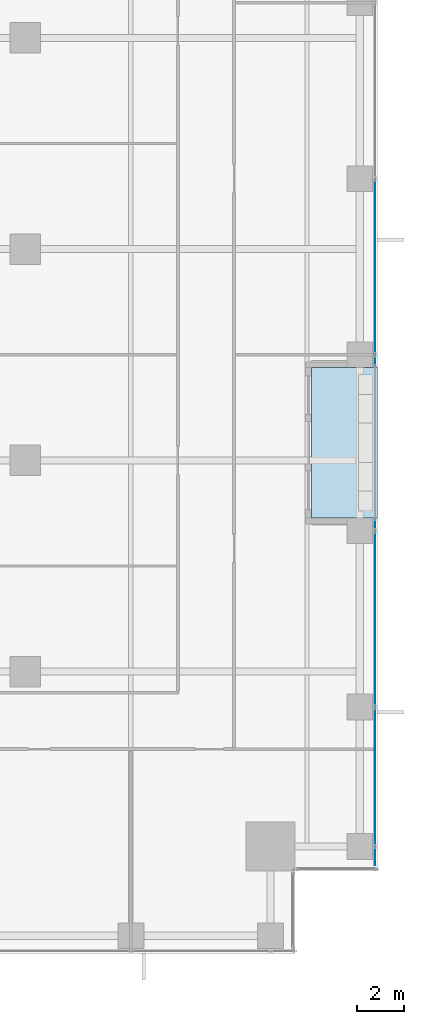
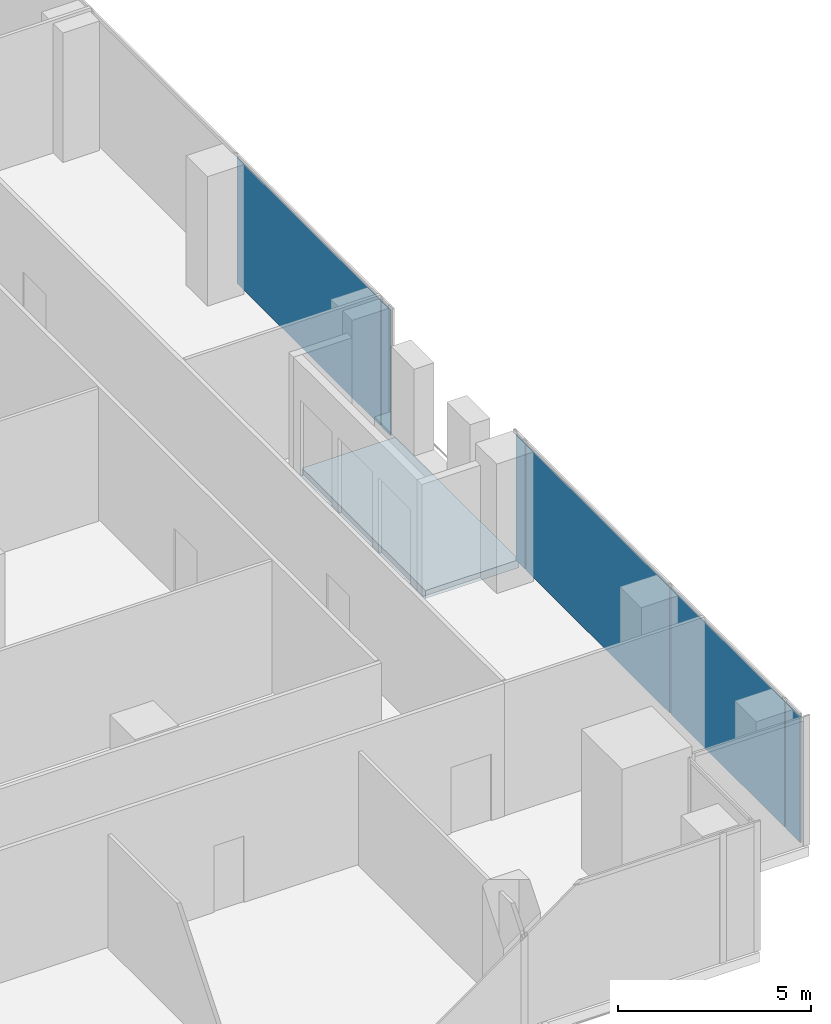
# One storey, part 25 of 34: 6 plates, 1 slab, 2 elements without a shape of their own.
"""IFC4 building model written with IfcOpenShell, lengths in metres."""

from ifc_helpers import new_model, si_unit, direction, frame, origin, origin_2d, place, context, subcontext, project, spatial, polyline, rectangle, outline, extrude, source, transform, mapped, material, layer, layer_set, type_object, element, aggregate, save


model = new_model("IFC4")

# Units and contexts
model_context = context("Model", 3, precision=1e-05, world=origin(), true_north=direction((0.0, 1.0)))
body_context = subcontext(model_context, "Body", "Model", "MODEL_VIEW")
ifc_project = project(units=[si_unit("LENGTHUNIT", "METRE"), si_unit("AREAUNIT", "SQUARE_METRE"), si_unit("VOLUMEUNIT", "CUBIC_METRE"), si_unit("PLANEANGLEUNIT", "RADIAN"), si_unit("MASSUNIT", "GRAM", prefix="KILO")], contexts=[model_context])

# Site, building, storey
site_placement = place(None, origin())
site = spatial("IfcSite", under=ifc_project, at=site_placement, CompositionType="ELEMENT")
building_placement = place(site_placement, origin())
building = spatial("IfcBuilding", under=site, at=building_placement, Name="Khomas Fold Tower", CompositionType="ELEMENT")
storey_placement = place(building_placement, frame((0.0, 0.0, 105.89990234375)))
storey = spatial("IfcBuildingStorey", under=building, at=storey_placement, Name="L22", CompositionType="ELEMENT", Elevation=105.89990234375)

# Curtain wall, plates
ifc_material_1 = material(Name="Aluminium framed double glazing", Category="aluminium")
curtain_wall_type = type_object("IfcCurtainWallType", Name="SK-Unitised clear-glass wall, growing floors CW1", PredefinedType="NOTDEFINED", material=ifc_material_1)
curtain_wall_1_placement = place(storey_placement, origin())
curtain_wall_1 = element("IfcCurtainWall", 1, at=curtain_wall_1_placement, inside=storey, type_object=curtain_wall_type, Name="CW1 run L22 03-0", PredefinedType="NOTDEFINED")
ifc_material_2 = material(Name="Clear double glazed unit")
ifc_layer_1 = layer(ifc_material_2, 0.031982421875)
ifc_layer_set_1 = layer_set([ifc_layer_1], Name="Clear double glazed unit")
plate_type = type_object("IfcPlateType", Name="SK-Unitised clear-glass wall, growing floors glass panel CW1-P", PredefinedType="CURTAIN_PANEL", material=ifc_layer_set_1)
shared_shape_1 = source(origin(), body_context, "Body", "SweptSolid", [
    extrude(rectangle(XDim=0.760009765625, YDim=0.031982421875, at=origin_2d()), origin(), (0.0, 0.0, 1.0), 3.97998046875),
])
plate_1_placement = place(storey_placement, frame((52.39990234375, 5.639892578125, 0.0), z_axis=(0.0, 0.0, 1.0), x_axis=(0.0, 1.0, 0.0)))
plate_1 = element("IfcPlate", 2, at=plate_1_placement, type_object=plate_type, Name="CW1 glass panel 1", PredefinedType="CURTAIN_PANEL", context=body_context, shape_type="MappedRepresentation", body=[
    mapped(shared_shape_1, transform((0.0, 0.0, 0.0))),
])
shared_shape_2 = source(origin(), body_context, "Body", "SweptSolid", [
    extrude(rectangle(XDim=5.889892578125, YDim=0.031982421875, at=origin_2d()), origin(), (0.0, 0.0, 1.0), 3.97998046875),
])
plate_2_placement = place(storey_placement, frame((52.39990234375, 9.02490234375, 0.0), z_axis=(0.0, 0.0, 1.0), x_axis=(0.0, 1.0, 0.0)))
plate_2 = element("IfcPlate", 3, at=plate_2_placement, type_object=plate_type, Name="CW1 glass panel 2", PredefinedType="CURTAIN_PANEL", context=body_context, shape_type="MappedRepresentation", body=[
    mapped(shared_shape_2, transform((0.0, 0.0, 0.0))),
])
shared_shape_3 = source(origin(), body_context, "Body", "SweptSolid", [
    extrude(rectangle(XDim=7.43994140625, YDim=0.031982421875, at=origin_2d()), origin(), (0.0, 0.0, 1.0), 3.97998046875),
])
plate_3_placement = place(storey_placement, frame((52.39990234375, 15.75, 0.0), z_axis=(0.0, 0.0, 1.0), x_axis=(0.0, 1.0, 0.0)))
plate_3 = element("IfcPlate", 4, at=plate_3_placement, type_object=plate_type, Name="CW1 glass panel 3", PredefinedType="CURTAIN_PANEL", context=body_context, shape_type="MappedRepresentation", body=[
    mapped(shared_shape_3, transform((0.0, 0.0, 0.0))),
])

# Curtain wall, plate
curtain_wall_2_placement = place(storey_placement, origin())
curtain_wall_2 = element("IfcCurtainWall", 5, at=curtain_wall_2_placement, inside=storey, type_object=curtain_wall_type, Name="CW1 run L22 03-1", PredefinedType="NOTDEFINED")
plate_4_placement = place(storey_placement, frame((52.39990234375, 30.75, 0.0), z_axis=(0.0, 0.0, 1.0), x_axis=(0.0, 1.0, 0.0)))
plate_4 = element("IfcPlate", 6, at=plate_4_placement, type_object=plate_type, Name="CW1 glass panel 2", PredefinedType="CURTAIN_PANEL", context=body_context, shape_type="MappedRepresentation", body=[
    mapped(shared_shape_3, transform((0.0, 0.0, 0.0))),
])

# Plate
shared_shape_4 = source(origin(), body_context, "Body", "SweptSolid", [
    extrude(rectangle(XDim=0.4599609375, YDim=0.031982421875, at=origin_2d()), origin(), (0.0, 0.0, 1.0), 3.97998046875),
])
plate_5_placement = place(storey_placement, frame((52.39990234375, 19.760009765625, 0.0), z_axis=(0.0, 0.0, 1.0), x_axis=(0.0, 1.0, 0.0)))
plate_5 = element("IfcPlate", 7, at=plate_5_placement, type_object=plate_type, Name="CW1 glass panel 4", PredefinedType="CURTAIN_PANEL", context=body_context, shape_type="MappedRepresentation", body=[
    mapped(shared_shape_4, transform((0.0, 0.0, 0.0))),
])

aggregate(curtain_wall_1, [plate_1, plate_2, plate_3, plate_5])

plate_6_placement = place(storey_placement, frame((52.39990234375, 26.739990234375, 0.0), z_axis=(0.0, 0.0, 1.0), x_axis=(0.0, 1.0, 0.0)))
plate_6 = element("IfcPlate", 8, at=plate_6_placement, type_object=plate_type, Name="CW1 glass panel 1", PredefinedType="CURTAIN_PANEL", context=body_context, shape_type="MappedRepresentation", body=[
    mapped(shared_shape_4, transform((0.0, 0.0, 0.0))),
])

aggregate(curtain_wall_2, [plate_6, plate_4])

# Slab
ifc_material_3 = material(Name="Concrete C40/50", Category="concrete")
ifc_layer_2 = layer(ifc_material_3, 0.2548828125)
ifc_layer_set_2 = layer_set([ifc_layer_2], Name="Concrete C40/50")
slab_type = type_object("IfcSlabType", Name="BL-Balcony deck 255", PredefinedType="FLOOR", material=ifc_layer_set_2)
shared_shape_5 = source(origin(), body_context, "Body", "SweptSolid", [
    extrude(outline(polyline([(49.699951171875, 20.050048828125), (52.5, 20.050048828125), (52.5, 26.449951171875), (49.699951171875, 26.449951171875), (49.699951171875, 20.050048828125)])), origin(), (0.0, 0.0, 1.0), 0.2548828125),
])
slab_placement = place(storey_placement, frame((0.0, 0.0, -0.2998046875)))
element("IfcSlab", 9, at=slab_placement, inside=storey, type_object=slab_type, Name="Balcony deck BAL-L22-E2", PredefinedType="FLOOR", context=body_context, shape_type="MappedRepresentation", body=[
    mapped(shared_shape_5, transform((0.0, 0.0, 0.0))),
])

save(model, "model.ifc")
